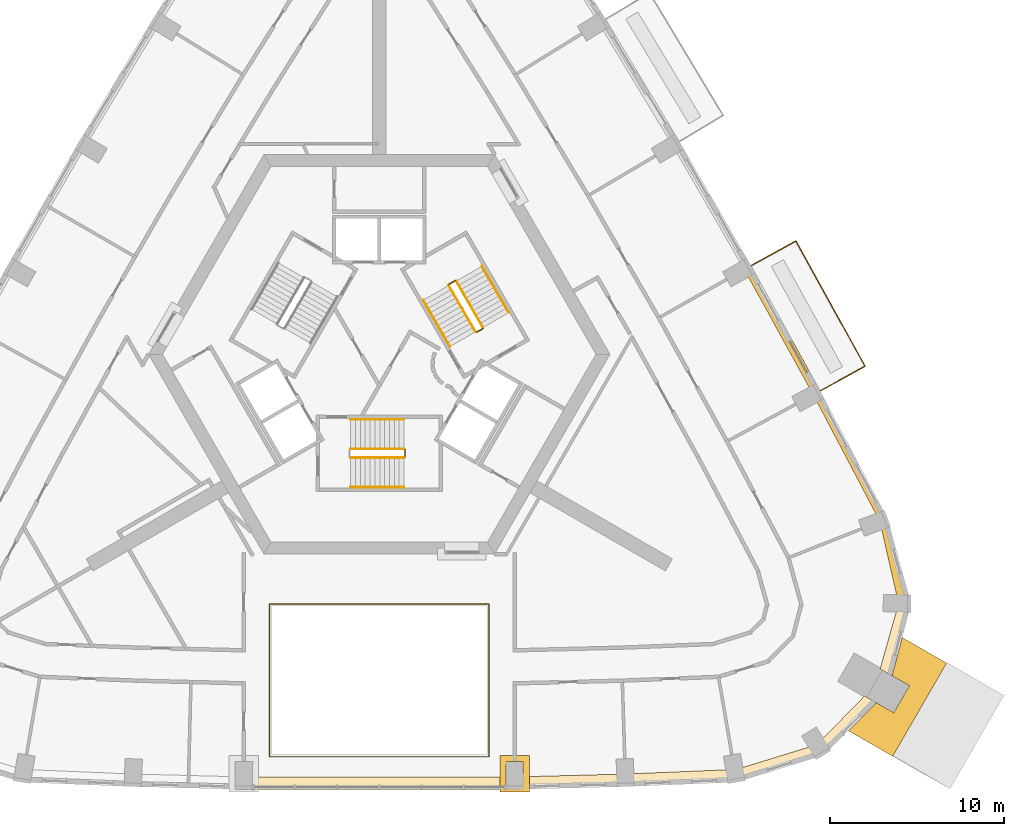
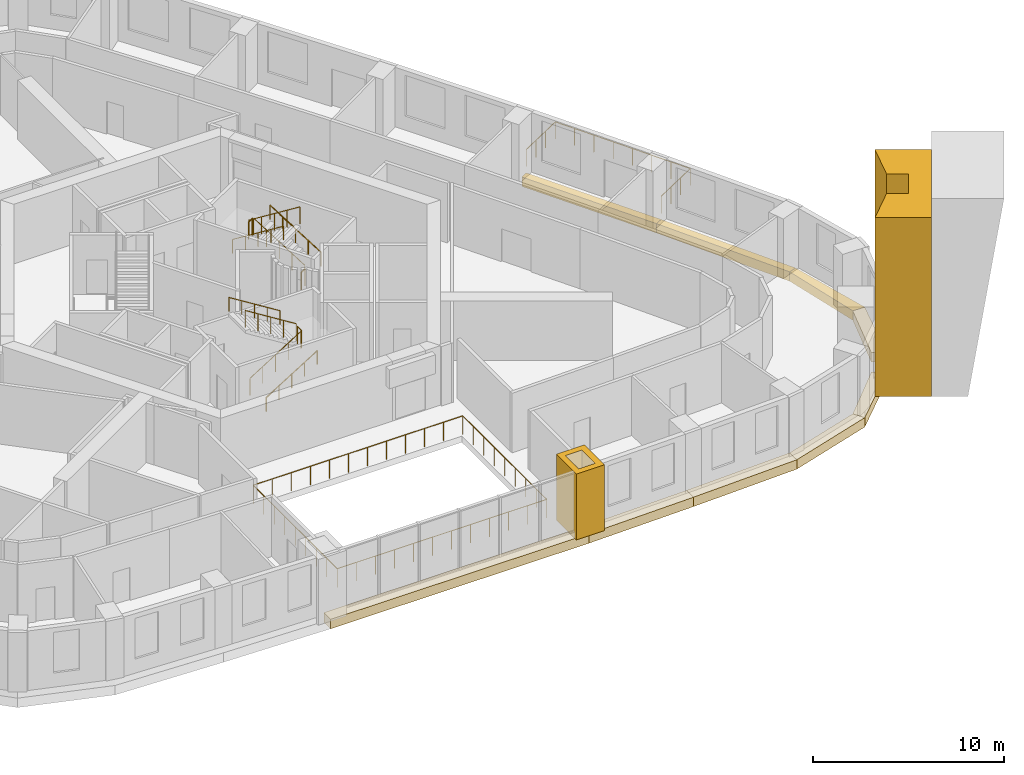
# One storey, part 12 of 13: 13 railings, 11 coverings.
"""IFC4 building model written with IfcOpenShell, lengths in metres."""

from ifc_helpers import new_model, si_unit, direction, frame, origin, origin_2d, place, context, subcontext, project, spatial, polyline, circle, outline, extrude, material, type_object, element, save


model = new_model("IFC4")

# Units and contexts
model_context = context("Model", 3, precision=1e-05, world=origin(), true_north=direction((0.0, 1.0)))
body_context = subcontext(model_context, "Body", "Model", "MODEL_VIEW")
ifc_project = project(units=[si_unit("LENGTHUNIT", "METRE"), si_unit("AREAUNIT", "SQUARE_METRE"), si_unit("VOLUMEUNIT", "CUBIC_METRE"), si_unit("PLANEANGLEUNIT", "RADIAN"), si_unit("MASSUNIT", "GRAM", prefix="KILO")], contexts=[model_context])

# Site, building, storey
site_placement = place(None, origin())
site = spatial("IfcSite", under=ifc_project, at=site_placement, CompositionType="ELEMENT")
building_placement = place(site_placement, origin())
building = spatial("IfcBuilding", under=site, at=building_placement, Name="Entoto Arch Interchange Tower", CompositionType="ELEMENT")
storey_placement = place(building_placement, frame((0.0, 0.0, 202.39990234375)))
storey = spatial("IfcBuildingStorey", under=building, at=storey_placement, Name="L45", CompositionType="ELEMENT", Elevation=202.39990234375)

# Railings
ifc_material_1 = material(Name="Stainless steel 1.4301", Category="steel")
railing_type_1 = type_object("IfcRailingType", Name="ATRIUM GUARD 1200 STEEL AND GLASS", PredefinedType="GUARDRAIL", material=ifc_material_1)
railing_1_placement = place(storey_placement, frame((6.320068359375, -20.6640625, 0.0)))
element("IfcRailing", 1, at=railing_1_placement, inside=storey, type_object=railing_type_1, Name="Atrium guard L45", PredefinedType="GUARDRAIL", context=body_context, shape_type="SweptSolid", body=[
    extrude(circle(Radius=0.02392578125, at=origin_2d()), frame((0.0, 0.0, 1.17578125), z_axis=(-1.0, 0.0, 0.0), x_axis=(0.0, -1.0, 0.0)), (0.0, 0.0, 1.0), 12.64013671875),
    extrude(circle(Radius=0.02392578125, at=origin_2d()), frame((-12.64013671875, 0.0, 1.17578125), z_axis=(0.0, 1.0, 0.0), x_axis=(-1.0, 0.0, 0.0)), (0.0, 0.0, 1.0), 8.7841796875),
    extrude(circle(Radius=0.02392578125, at=origin_2d()), frame((-12.64013671875, 8.7841796875, 1.17578125), z_axis=(1.0, 0.0, 0.0), x_axis=(0.0, 1.0, 0.0)), (0.0, 0.0, 1.0), 12.64013671875),
    extrude(circle(Radius=0.02392578125, at=origin_2d()), frame((0.0, 8.7841796875, 1.17578125), z_axis=(0.0, -1.0, 0.0), x_axis=(1.0, 0.0, 0.0)), (0.0, 0.0, 1.0), 8.7841796875),
    extrude(circle(Radius=0.02099609375, at=origin_2d()), origin(), (0.0, 0.0, 1.0), 1.15185546875),
    extrude(circle(Radius=0.02099609375, at=origin_2d()), frame((-1.149169921875, 0.0, 0.0)), (0.0, 0.0, 1.0), 1.15185546875),
    extrude(circle(Radius=0.02099609375, at=origin_2d()), frame((-2.298095703125, 0.0, 0.0)), (0.0, 0.0, 1.0), 1.15185546875),
    extrude(circle(Radius=0.02099609375, at=origin_2d()), frame((-3.447265625, 0.0, 0.0)), (0.0, 0.0, 1.0), 1.15185546875),
    extrude(circle(Radius=0.02099609375, at=origin_2d()), frame((-4.596435546875, 0.0, 0.0)), (0.0, 0.0, 1.0), 1.15185546875),
    extrude(circle(Radius=0.02099609375, at=origin_2d()), frame((-5.74560546875, 0.0, 0.0)), (0.0, 0.0, 1.0), 1.15185546875),
    extrude(circle(Radius=0.02099609375, at=origin_2d()), frame((-6.89453125, 0.0, 0.0)), (0.0, 0.0, 1.0), 1.15185546875),
    extrude(circle(Radius=0.02099609375, at=origin_2d()), frame((-8.043701171875, 0.0, 0.0)), (0.0, 0.0, 1.0), 1.15185546875),
    extrude(circle(Radius=0.02099609375, at=origin_2d()), frame((-9.19287109375, 0.0, 0.0)), (0.0, 0.0, 1.0), 1.15185546875),
    extrude(circle(Radius=0.02099609375, at=origin_2d()), frame((-10.342041015625, 0.0, 0.0)), (0.0, 0.0, 1.0), 1.15185546875),
    extrude(circle(Radius=0.02099609375, at=origin_2d()), frame((-11.490966796875, 0.0, 0.0)), (0.0, 0.0, 1.0), 1.15185546875),
    extrude(circle(Radius=0.02099609375, at=origin_2d()), frame((-12.64013671875, 0.0, 0.0)), (0.0, 0.0, 1.0), 1.15185546875),
    extrude(circle(Radius=0.02099609375, at=origin_2d()), frame((-12.64013671875, 1.09814453125, 0.0)), (0.0, 0.0, 1.0), 1.15185546875),
    extrude(circle(Radius=0.02099609375, at=origin_2d()), frame((-12.64013671875, 2.196044921875, 0.0)), (0.0, 0.0, 1.0), 1.15185546875),
    extrude(circle(Radius=0.02099609375, at=origin_2d()), frame((-12.64013671875, 3.2939453125, 0.0)), (0.0, 0.0, 1.0), 1.15185546875),
    extrude(circle(Radius=0.02099609375, at=origin_2d()), frame((-12.64013671875, 4.39208984375, 0.0)), (0.0, 0.0, 1.0), 1.15185546875),
    extrude(circle(Radius=0.02099609375, at=origin_2d()), frame((-12.64013671875, 5.490234375, 0.0)), (0.0, 0.0, 1.0), 1.15185546875),
    extrude(circle(Radius=0.02099609375, at=origin_2d()), frame((-12.64013671875, 6.588134765625, 0.0)), (0.0, 0.0, 1.0), 1.15185546875),
    extrude(circle(Radius=0.02099609375, at=origin_2d()), frame((-12.64013671875, 7.68603515625, 0.0)), (0.0, 0.0, 1.0), 1.15185546875),
    extrude(circle(Radius=0.02099609375, at=origin_2d()), frame((-12.64013671875, 8.7841796875, 0.0)), (0.0, 0.0, 1.0), 1.15185546875),
    extrude(circle(Radius=0.02099609375, at=origin_2d()), frame((-11.490966796875, 8.7841796875, 0.0)), (0.0, 0.0, 1.0), 1.15185546875),
    extrude(circle(Radius=0.02099609375, at=origin_2d()), frame((-10.342041015625, 8.7841796875, 0.0)), (0.0, 0.0, 1.0), 1.15185546875),
    extrude(circle(Radius=0.02099609375, at=origin_2d()), frame((-9.19287109375, 8.7841796875, 0.0)), (0.0, 0.0, 1.0), 1.15185546875),
    extrude(circle(Radius=0.02099609375, at=origin_2d()), frame((-8.043701171875, 8.7841796875, 0.0)), (0.0, 0.0, 1.0), 1.15185546875),
    extrude(circle(Radius=0.02099609375, at=origin_2d()), frame((-6.89453125, 8.7841796875, 0.0)), (0.0, 0.0, 1.0), 1.15185546875),
    extrude(circle(Radius=0.02099609375, at=origin_2d()), frame((-5.74560546875, 8.7841796875, 0.0)), (0.0, 0.0, 1.0), 1.15185546875),
    extrude(circle(Radius=0.02099609375, at=origin_2d()), frame((-4.596435546875, 8.7841796875, 0.0)), (0.0, 0.0, 1.0), 1.15185546875),
    extrude(circle(Radius=0.02099609375, at=origin_2d()), frame((-3.447265625, 8.7841796875, 0.0)), (0.0, 0.0, 1.0), 1.15185546875),
    extrude(circle(Radius=0.02099609375, at=origin_2d()), frame((-2.298095703125, 8.7841796875, 0.0)), (0.0, 0.0, 1.0), 1.15185546875),
    extrude(circle(Radius=0.02099609375, at=origin_2d()), frame((-1.149169921875, 8.7841796875, 0.0)), (0.0, 0.0, 1.0), 1.15185546875),
    extrude(circle(Radius=0.02099609375, at=origin_2d()), frame((0.0, 8.7841796875, 0.0)), (0.0, 0.0, 1.0), 1.15185546875),
    extrude(circle(Radius=0.02099609375, at=origin_2d()), frame((0.0, 7.68603515625, 0.0)), (0.0, 0.0, 1.0), 1.15185546875),
    extrude(circle(Radius=0.02099609375, at=origin_2d()), frame((0.0, 6.588134765625, 0.0)), (0.0, 0.0, 1.0), 1.15185546875),
    extrude(circle(Radius=0.02099609375, at=origin_2d()), frame((0.0, 5.490234375, 0.0)), (0.0, 0.0, 1.0), 1.15185546875),
    extrude(circle(Radius=0.02099609375, at=origin_2d()), frame((0.0, 4.39208984375, 0.0)), (0.0, 0.0, 1.0), 1.15185546875),
    extrude(circle(Radius=0.02099609375, at=origin_2d()), frame((0.0, 3.2939453125, 0.0)), (0.0, 0.0, 1.0), 1.15185546875),
    extrude(circle(Radius=0.02099609375, at=origin_2d()), frame((0.0, 2.196044921875, 0.0)), (0.0, 0.0, 1.0), 1.15185546875),
    extrude(circle(Radius=0.02099609375, at=origin_2d()), frame((0.0, 1.09814453125, 0.0)), (0.0, 0.0, 1.0), 1.15185546875),
])
railing_type_2 = type_object("IfcRailingType", Name="GUARD 1100 STEEL AND GLASS", PredefinedType="GUARDRAIL", material=ifc_material_1)
railing_2_placement = place(storey_placement, frame((25.383056640625, 0.385009765625, 0.0)))
element("IfcRailing", 2, at=railing_2_placement, inside=storey, type_object=railing_type_2, Name="Balcony guard NE-02 L45", PredefinedType="GUARDRAIL", context=body_context, shape_type="SweptSolid", body=[
    extrude(circle(Radius=0.02392578125, at=origin_2d()), frame((0.0, 0.0, 1.076171875), z_axis=(0.875368754809, 0.483455833665, 0.0), x_axis=(-0.483455833665, 0.875368754809, 0.0)), (0.0, 0.0, 1.0), 2.94970703125),
    extrude(circle(Radius=0.02392578125, at=origin_2d()), frame((2.58203125, 1.426025390625, 1.076171875), z_axis=(-0.483555885085, 0.875313490128, 0.0), x_axis=(-0.875313490128, -0.483555885085, 0.0)), (0.0, 0.0, 1.0), 8.2392578125),
    extrude(circle(Radius=0.02392578125, at=origin_2d()), frame((-1.402099609375, 8.637939453125, 1.076171875), z_axis=(-0.875368754809, -0.483455833665, 0.0), x_axis=(0.483455833665, -0.875368754809, 0.0)), (0.0, 0.0, 1.0), 2.94970703125),
    extrude(circle(Radius=0.02099609375, at=origin_2d()), origin(), (0.0, 0.0, 1.0), 1.052001953125),
    extrude(circle(Radius=0.02099609375, at=origin_2d()), frame((0.860595703125, 0.475341796875, 0.0)), (0.0, 0.0, 1.0), 1.052001953125),
    extrude(circle(Radius=0.02099609375, at=origin_2d()), frame((1.721435546875, 0.95068359375, 0.0)), (0.0, 0.0, 1.0), 1.052001953125),
    extrude(circle(Radius=0.02099609375, at=origin_2d()), frame((2.58203125, 1.426025390625, 0.0)), (0.0, 0.0, 1.0), 1.052001953125),
    extrude(circle(Radius=0.02099609375, at=origin_2d()), frame((2.012939453125, 2.456298828125, 0.0)), (0.0, 0.0, 1.0), 1.052001953125),
    extrude(circle(Radius=0.02099609375, at=origin_2d()), frame((1.443603515625, 3.486572265625, 0.0)), (0.0, 0.0, 1.0), 1.052001953125),
    extrude(circle(Radius=0.02099609375, at=origin_2d()), frame((0.87451171875, 4.516845703125, 0.0)), (0.0, 0.0, 1.0), 1.052001953125),
    extrude(circle(Radius=0.02099609375, at=origin_2d()), frame((0.305419921875, 5.547119140625, 0.0)), (0.0, 0.0, 1.0), 1.052001953125),
    extrude(circle(Radius=0.02099609375, at=origin_2d()), frame((-0.263671875, 6.577392578125, 0.0)), (0.0, 0.0, 1.0), 1.052001953125),
    extrude(circle(Radius=0.02099609375, at=origin_2d()), frame((-0.8330078125, 7.607666015625, 0.0)), (0.0, 0.0, 1.0), 1.052001953125),
    extrude(circle(Radius=0.02099609375, at=origin_2d()), frame((-1.402099609375, 8.637939453125, 0.0)), (0.0, 0.0, 1.0), 1.052001953125),
    extrude(circle(Radius=0.02099609375, at=origin_2d()), frame((-2.2626953125, 8.16259765625, 0.0)), (0.0, 0.0, 1.0), 1.052001953125),
    extrude(circle(Radius=0.02099609375, at=origin_2d()), frame((-3.12353515625, 7.687255859375, 0.0)), (0.0, 0.0, 1.0), 1.052001953125),
    extrude(circle(Radius=0.02099609375, at=origin_2d()), frame((-3.984130859375, 7.2119140625, 0.0)), (0.0, 0.0, 1.0), 1.052001953125),
])

# Coverings
ifc_material_2 = material(Name="Board-marked precast concrete C50/60", Category="concrete")
covering_type_1 = type_object("IfcCoveringType", Name="PRECAST FRAME COURSE", PredefinedType="CLADDING", material=ifc_material_2)
covering_1_placement = place(storey_placement, frame((0.0, 0.0, -0.39990234375)))
element("IfcCovering", 3, at=covering_1_placement, inside=storey, type_object=covering_type_1, Name="Corner pilaster SE L45-L47", PredefinedType="CLADDING", context=body_context, shape_type="SweptSolid", body=[
    extrude(outline(polyline([(32.654052734375, -15.27294921875), (29.553955078125, -20.64306640625), (26.9990234375, -19.16796875), (28.62109375, -17.56396484375), (29.614013671875, -18.136962890625), (30.513916015625, -16.5791015625), (29.52099609375, -16.0048828125), (30.09912109375, -13.798095703125), (32.654052734375, -15.27294921875)])), origin(), (0.0, 0.0, 1.0), 11.39990234375),
])
covering_2_placement = place(storey_placement, frame((0.0, 0.0, -0.39990234375)))
element("IfcCovering", 4, at=covering_2_placement, inside=storey, type_object=covering_type_1, Name="Gate pier L45", PredefinedType="CLADDING", context=body_context, shape_type="SweptSolid", body=[
    extrude(outline(polyline([(6.93798828125, -20.593994140625), (8.637939453125, -20.593994140625), (8.637939453125, -22.694091796875), (6.93798828125, -22.694091796875), (6.93798828125, -20.593994140625)]), holes=[polyline([(7.2880859375, -20.944091796875), (7.2880859375, -22.343994140625), (8.2880859375, -22.343994140625), (8.2880859375, -20.944091796875), (7.2880859375, -20.944091796875)])]), origin(), (0.0, 0.0, 1.0), 4.199951171875),
])
covering_type_2 = type_object("IfcCoveringType", Name="PRECAST LEDGE COURSE", PredefinedType="CLADDING", material=ifc_material_2)
covering_3_placement = place(storey_placement, frame((0.0, 0.0, -1.0)))
element("IfcCovering", 5, at=covering_3_placement, inside=storey, type_object=covering_type_2, Name="Precast course S-03 L45", PredefinedType="CLADDING", context=body_context, shape_type="SweptSolid", body=[
    extrude(outline(polyline([(7.800048828125, -21.826904296875), (7.800048828125, -22.5439453125), (-7.800048828125, -22.5439453125), (-7.800048828125, -21.826904296875), (7.800048828125, -21.826904296875)])), origin(), (0.0, 0.0, 1.0), 0.60009765625),
])
covering_4_placement = place(storey_placement, frame((0.0, 0.0, -1.0)))
element("IfcCovering", 6, at=covering_4_placement, inside=storey, type_object=covering_type_2, Name="Precast course S-04 L45", PredefinedType="CLADDING", context=body_context, shape_type="SweptSolid", body=[
    extrude(outline(polyline([(14.18505859375, -21.658935546875), (14.18505859375, -22.383056640625), (7.800048828125, -22.5439453125), (7.800048828125, -21.826904296875), (14.18505859375, -21.658935546875)])), origin(), (0.0, 0.0, 1.0), 0.60009765625),
])
covering_5_placement = place(storey_placement, frame((0.0, 0.0, -1.0)))
element("IfcCovering", 7, at=covering_5_placement, inside=storey, type_object=covering_type_2, Name="Precast course S-05 L45", PredefinedType="CLADDING", context=body_context, shape_type="SweptSolid", body=[
    extrude(outline(polyline([(20.569091796875, -21.39208984375), (20.569091796875, -22.1279296875), (14.18505859375, -22.383056640625), (14.18505859375, -21.658935546875), (20.569091796875, -21.39208984375)])), origin(), (0.0, 0.0, 1.0), 0.60009765625),
])
covering_6_placement = place(storey_placement, frame((0.0, 0.0, -1.0)))
element("IfcCovering", 8, at=covering_6_placement, inside=storey, type_object=covering_type_2, Name="Precast course SE-01 L45", PredefinedType="CLADDING", context=body_context, shape_type="SweptSolid", body=[
    extrude(outline(polyline([(25.197021484375, -19.967041015625), (25.571044921875, -20.5791015625), (20.569091796875, -22.1279296875), (20.569091796875, -21.39208984375), (25.197021484375, -19.967041015625)])), origin(), (0.0, 0.0, 1.0), 0.60009765625),
])
covering_7_placement = place(storey_placement, frame((0.0, 0.0, -1.0)))
element("IfcCovering", 9, at=covering_7_placement, inside=storey, type_object=covering_type_2, Name="Precast course SE-02 L45", PredefinedType="CLADDING", context=body_context, shape_type="SweptSolid", body=[
    extrude(outline(polyline([(27.929931640625, -17.1650390625), (28.6220703125, -17.56396484375), (25.571044921875, -20.5791015625), (25.197021484375, -19.967041015625), (27.929931640625, -17.1650390625)])), origin(), (0.0, 0.0, 1.0), 0.60009765625),
])
covering_8_placement = place(storey_placement, frame((0.0, 0.0, -1.0)))
element("IfcCovering", 10, at=covering_8_placement, inside=storey, type_object=covering_type_2, Name="Precast course SE-03 L45", PredefinedType="CLADDING", context=body_context, shape_type="SweptSolid", body=[
    extrude(outline(polyline([(29.889892578125, -11.837890625), (30.60693359375, -11.85595703125), (29.52099609375, -16.0048828125), (28.830078125, -15.60595703125), (29.889892578125, -11.837890625)])), origin(), (0.0, 0.0, 1.0), 0.60009765625),
])
covering_9_placement = place(storey_placement, frame((0.0, 0.0, -1.0)))
element("IfcCovering", 11, at=covering_9_placement, inside=storey, type_object=covering_type_2, Name="Precast course SE-04 L45", PredefinedType="CLADDING", context=body_context, shape_type="SweptSolid", body=[
    extrude(outline(polyline([(28.81103515625, -7.116943359375), (29.256103515625, -6.951904296875), (30.60693359375, -11.85595703125), (29.889892578125, -11.837890625), (28.81103515625, -7.116943359375)])), origin(), (0.0, 0.0, 1.0), 0.60009765625),
])
covering_10_placement = place(storey_placement, frame((0.0, 0.0, -1.0)))
element("IfcCovering", 12, at=covering_10_placement, inside=storey, type_object=covering_type_2, Name="Precast course NE-01 L45", PredefinedType="CLADDING", context=body_context, shape_type="SweptSolid", body=[
    extrude(outline(polyline([(24.97998046875, 0.16796875), (25.383056640625, 0.385009765625), (29.256103515625, -6.951904296875), (28.81103515625, -7.116943359375), (24.97998046875, 0.16796875)])), origin(), (0.0, 0.0, 1.0), 0.60009765625),
])
covering_11_placement = place(storey_placement, frame((0.0, 0.0, -1.0)))
element("IfcCovering", 13, at=covering_11_placement, inside=storey, type_object=covering_type_2, Name="Precast course NE-02 L45", PredefinedType="CLADDING", context=body_context, shape_type="SweptSolid", body=[
    extrude(outline(polyline([(21.006103515625, 7.3759765625), (21.39892578125, 7.596923828125), (25.383056640625, 0.385009765625), (24.97998046875, 0.16796875), (21.006103515625, 7.3759765625)])), origin(), (0.0, 0.0, 1.0), 0.60009765625),
])

# Railings
railing_type_3 = type_object("IfcRailingType", Name="STAIR GUARD 1100 STEEL", PredefinedType="GUARDRAIL", material=ifc_material_1)
railing_3_placement = place(storey_placement, frame((-1.64990234375, -3.449951171875, 0.175048828125)))
element("IfcRailing", 14, at=railing_3_placement, inside=storey, type_object=railing_type_3, Name="L45 ST-S stair guard 1", PredefinedType="GUARDRAIL", context=body_context, shape_type="SweptSolid", body=[
    extrude(circle(Radius=0.02392578125, at=origin_2d()), frame((0.0, 0.0, 1.076171875), z_axis=(0.847979421464, 0.0, 0.530029150871), x_axis=(0.0, 1.0, 0.0)), (0.0, 0.0, 1.0), 3.632080078125),
    extrude(circle(Radius=0.02099609375, at=origin_2d()), origin(), (0.0, 0.0, 1.0), 1.052001953125),
    extrude(circle(Radius=0.02099609375, at=origin_2d()), frame((0.77001953125, 0.0, 0.481201171875)), (0.0, 0.0, 1.0), 1.052001953125),
    extrude(circle(Radius=0.02099609375, at=origin_2d()), frame((1.5400390625, 0.0, 0.96240234375)), (0.0, 0.0, 1.0), 1.052001953125),
    extrude(circle(Radius=0.02099609375, at=origin_2d()), frame((2.309814453125, 0.0, 1.44384765625)), (0.0, 0.0, 1.0), 1.052001953125),
    extrude(circle(Radius=0.02099609375, at=origin_2d()), frame((3.079833984375, 0.0, 1.925048828125)), (0.0, 0.0, 1.0), 1.052001953125),
])
railing_4_placement = place(storey_placement, frame((1.47998046875, -3.39990234375, 2.10009765625)))
element("IfcRailing", 15, at=railing_4_placement, inside=storey, type_object=railing_type_3, Name="L45 ST-S stair guard 2", PredefinedType="GUARDRAIL", context=body_context, shape_type="SweptSolid", body=[
    extrude(circle(Radius=0.02392578125, at=origin_2d()), frame((0.0, 0.0, 1.076171875), z_axis=(0.0, 1.0, 0.0), x_axis=(-1.0, 0.0, 0.0)), (0.0, 0.0, 1.0), 0.39990234375),
    extrude(circle(Radius=0.02099609375, at=origin_2d()), origin(), (0.0, 0.0, 1.0), 1.052001953125),
    extrude(circle(Radius=0.02099609375, at=origin_2d()), frame((0.0, 0.39990234375, 0.0)), (0.0, 0.0, 1.0), 1.052001953125),
])
railing_5_placement = place(storey_placement, frame((1.429931640625, -2.949951171875, 2.275146484375)))
element("IfcRailing", 16, at=railing_5_placement, inside=storey, type_object=railing_type_3, Name="L45 ST-S stair guard 3", PredefinedType="GUARDRAIL", context=body_context, shape_type="SweptSolid", body=[
    extrude(circle(Radius=0.02392578125, at=origin_2d()), frame((0.0, 0.0, 1.076171875), z_axis=(-0.847979421464, 0.0, 0.530029150871), x_axis=(0.0, -1.0, 0.0)), (0.0, 0.0, 1.0), 3.632080078125),
    extrude(circle(Radius=0.02099609375, at=origin_2d()), origin(), (0.0, 0.0, 1.0), 1.052001953125),
    extrude(circle(Radius=0.02099609375, at=origin_2d()), frame((-0.77001953125, 0.0, 0.481201171875)), (0.0, 0.0, 1.0), 1.052001953125),
    extrude(circle(Radius=0.02099609375, at=origin_2d()), frame((-1.5400390625, 0.0, 0.96240234375)), (0.0, 0.0, 1.0), 1.052001953125),
    extrude(circle(Radius=0.02099609375, at=origin_2d()), frame((-2.309814453125, 0.0, 1.44384765625)), (0.0, 0.0, 1.0), 1.052001953125),
    extrude(circle(Radius=0.02099609375, at=origin_2d()), frame((-3.079833984375, 0.0, 1.925048828125)), (0.0, 0.0, 1.0), 1.052001953125),
])
railing_6_placement = place(storey_placement, frame((5.977783203125, 4.046142578125, 0.175048828125)))
element("IfcRailing", 17, at=railing_6_placement, inside=storey, type_object=railing_type_3, Name="L45 ST-NE stair guard 1", PredefinedType="GUARDRAIL", context=body_context, shape_type="SweptSolid", body=[
    extrude(circle(Radius=0.02392578125, at=origin_2d()), frame((0.0, 0.0, 1.076171875), z_axis=(-0.424015404183, 0.734364028329, 0.530019255228), x_axis=(-0.866010015463, -0.500026652407, 0.0)), (0.0, 0.0, 1.0), 3.632080078125),
    extrude(circle(Radius=0.02099609375, at=origin_2d()), origin(), (0.0, 0.0, 1.0), 1.052001953125),
    extrude(circle(Radius=0.02099609375, at=origin_2d()), frame((-0.385009765625, 0.666748046875, 0.481201171875)), (0.0, 0.0, 1.0), 1.052001953125),
    extrude(circle(Radius=0.02099609375, at=origin_2d()), frame((-0.77001953125, 1.33349609375, 0.96240234375)), (0.0, 0.0, 1.0), 1.052001953125),
    extrude(circle(Radius=0.02099609375, at=origin_2d()), frame((-1.155029296875, 2.00048828125, 1.44384765625)), (0.0, 0.0, 1.0), 1.052001953125),
    extrude(circle(Radius=0.02099609375, at=origin_2d()), frame((-1.5400390625, 2.667236328125, 1.925048828125)), (0.0, 0.0, 1.0), 1.052001953125),
])
railing_7_placement = place(storey_placement, frame((4.36962890625, 6.731689453125, 2.10009765625)))
element("IfcRailing", 18, at=railing_7_placement, inside=storey, type_object=railing_type_3, Name="L45 ST-NE stair guard 2", PredefinedType="GUARDRAIL", context=body_context, shape_type="SweptSolid", body=[
    extrude(circle(Radius=0.02392578125, at=origin_2d()), frame((0.0, 0.0, 1.076171875), z_axis=(-0.866094119867, -0.499880961361, 0.0), x_axis=(0.499880961361, -0.866094119867, 0.0)), (0.0, 0.0, 1.0), 0.39990234375),
    extrude(circle(Radius=0.02099609375, at=origin_2d()), origin(), (0.0, 0.0, 1.0), 1.052001953125),
    extrude(circle(Radius=0.02099609375, at=origin_2d()), frame((-0.346435546875, -0.199951171875, 0.0)), (0.0, 0.0, 1.0), 1.052001953125),
])
railing_8_placement = place(storey_placement, frame((4.0048828125, 6.46337890625, 2.275146484375)))
element("IfcRailing", 19, at=railing_8_placement, inside=storey, type_object=railing_type_3, Name="L45 ST-NE stair guard 3", PredefinedType="GUARDRAIL", context=body_context, shape_type="SweptSolid", body=[
    extrude(circle(Radius=0.02392578125, at=origin_2d()), frame((0.0, 0.0, 1.076171875), z_axis=(0.424015404183, -0.734364028329, 0.530019255228), x_axis=(0.866010015463, 0.500026652407, 0.0)), (0.0, 0.0, 1.0), 3.632080078125),
    extrude(circle(Radius=0.02099609375, at=origin_2d()), origin(), (0.0, 0.0, 1.0), 1.052001953125),
    extrude(circle(Radius=0.02099609375, at=origin_2d()), frame((0.385009765625, -0.666748046875, 0.481201171875)), (0.0, 0.0, 1.0), 1.052001953125),
    extrude(circle(Radius=0.02099609375, at=origin_2d()), frame((0.77001953125, -1.33349609375, 0.96240234375)), (0.0, 0.0, 1.0), 1.052001953125),
    extrude(circle(Radius=0.02099609375, at=origin_2d()), frame((1.155029296875, -2.00048828125, 1.44384765625)), (0.0, 0.0, 1.0), 1.052001953125),
    extrude(circle(Radius=0.02099609375, at=origin_2d()), frame((1.5400390625, -2.667236328125, 1.925048828125)), (0.0, 0.0, 1.0), 1.052001953125),
])
railing_9_placement = place(storey_placement, frame((5.95947265625, 3.977783203125, 0.0)))
element("IfcRailing", 20, at=railing_9_placement, inside=storey, type_object=railing_type_3, Name="L45 ST-NE stair guard 4", PredefinedType="GUARDRAIL", context=body_context, shape_type="SweptSolid", body=[
    extrude(circle(Radius=0.02392578125, at=origin_2d()), frame((0.0, 0.0, 1.076171875), z_axis=(-0.866094119867, -0.499880961361, 0.0), x_axis=(0.499880961361, -0.866094119867, 0.0)), (0.0, 0.0, 1.0), 0.39990234375),
    extrude(circle(Radius=0.02099609375, at=origin_2d()), origin(), (0.0, 0.0, 1.0), 1.052001953125),
    extrude(circle(Radius=0.02099609375, at=origin_2d()), frame((-0.346435546875, -0.199951171875, 0.0)), (0.0, 0.0, 1.0), 1.052001953125),
])
railing_type_4 = type_object("IfcRailingType", Name="STAIR HANDRAIL 900 STEEL", PredefinedType="HANDRAIL", material=ifc_material_1)
railing_10_placement = place(storey_placement, frame((-1.64990234375, -5.14990234375, 0.175048828125)))
element("IfcRailing", 21, at=railing_10_placement, inside=storey, type_object=railing_type_4, Name="L45 ST-S stair handrail 1", PredefinedType="HANDRAIL", context=body_context, shape_type="SweptSolid", body=[
    extrude(circle(Radius=0.02392578125, at=origin_2d()), frame((0.0, 0.0, 0.8759765625), z_axis=(0.847979421464, 0.0, 0.530029150871), x_axis=(0.0, 1.0, 0.0)), (0.0, 0.0, 1.0), 3.632080078125),
    extrude(circle(Radius=0.02099609375, at=origin_2d()), origin(), (0.0, 0.0, 1.0), 0.851806640625),
    extrude(circle(Radius=0.02099609375, at=origin_2d()), frame((0.77001953125, 0.0, 0.481201171875)), (0.0, 0.0, 1.0), 0.851806640625),
    extrude(circle(Radius=0.02099609375, at=origin_2d()), frame((1.5400390625, 0.0, 0.96240234375)), (0.0, 0.0, 1.0), 0.851806640625),
    extrude(circle(Radius=0.02099609375, at=origin_2d()), frame((2.309814453125, 0.0, 1.44384765625)), (0.0, 0.0, 1.0), 0.851806640625),
    extrude(circle(Radius=0.02099609375, at=origin_2d()), frame((3.079833984375, 0.0, 1.925048828125)), (0.0, 0.0, 1.0), 0.851806640625),
])
railing_11_placement = place(storey_placement, frame((1.429931640625, -1.25, 2.275146484375)))
element("IfcRailing", 22, at=railing_11_placement, inside=storey, type_object=railing_type_4, Name="L45 ST-S stair handrail 2", PredefinedType="HANDRAIL", context=body_context, shape_type="SweptSolid", body=[
    extrude(circle(Radius=0.02392578125, at=origin_2d()), frame((0.0, 0.0, 0.8759765625), z_axis=(-0.847979421464, 0.0, 0.530029150871), x_axis=(0.0, -1.0, 0.0)), (0.0, 0.0, 1.0), 3.632080078125),
    extrude(circle(Radius=0.02099609375, at=origin_2d()), origin(), (0.0, 0.0, 1.0), 0.851806640625),
    extrude(circle(Radius=0.02099609375, at=origin_2d()), frame((-0.77001953125, 0.0, 0.481201171875)), (0.0, 0.0, 1.0), 0.851806640625),
    extrude(circle(Radius=0.02099609375, at=origin_2d()), frame((-1.5400390625, 0.0, 0.96240234375)), (0.0, 0.0, 1.0), 0.851806640625),
    extrude(circle(Radius=0.02099609375, at=origin_2d()), frame((-2.309814453125, 0.0, 1.44384765625)), (0.0, 0.0, 1.0), 0.851806640625),
    extrude(circle(Radius=0.02099609375, at=origin_2d()), frame((-3.079833984375, 0.0, 1.925048828125)), (0.0, 0.0, 1.0), 0.851806640625),
])
railing_12_placement = place(storey_placement, frame((7.4501953125, 4.89599609375, 0.175048828125)))
element("IfcRailing", 23, at=railing_12_placement, inside=storey, type_object=railing_type_4, Name="L45 ST-NE stair handrail 1", PredefinedType="HANDRAIL", context=body_context, shape_type="SweptSolid", body=[
    extrude(circle(Radius=0.02392578125, at=origin_2d()), frame((0.0, 0.0, 0.8759765625), z_axis=(-0.423994474112, 0.734394994316, 0.52999309264), x_axis=(-0.866029832698, -0.499992328818, 0.0)), (0.0, 0.0, 1.0), 3.63232421875),
    extrude(circle(Radius=0.02099609375, at=origin_2d()), origin(), (0.0, 0.0, 1.0), 0.851806640625),
    extrude(circle(Radius=0.02099609375, at=origin_2d()), frame((-0.385009765625, 0.6669921875, 0.481201171875)), (0.0, 0.0, 1.0), 0.851806640625),
    extrude(circle(Radius=0.02099609375, at=origin_2d()), frame((-0.77001953125, 1.333740234375, 0.96240234375)), (0.0, 0.0, 1.0), 0.851806640625),
    extrude(circle(Radius=0.02099609375, at=origin_2d()), frame((-1.155029296875, 2.00048828125, 1.44384765625)), (0.0, 0.0, 1.0), 0.851806640625),
    extrude(circle(Radius=0.02099609375, at=origin_2d()), frame((-1.5400390625, 2.66748046875, 1.925048828125)), (0.0, 0.0, 1.0), 0.851806640625),
])
railing_13_placement = place(storey_placement, frame((2.53271484375, 5.613525390625, 2.275146484375)))
element("IfcRailing", 24, at=railing_13_placement, inside=storey, type_object=railing_type_4, Name="L45 ST-NE stair handrail 2", PredefinedType="HANDRAIL", context=body_context, shape_type="SweptSolid", body=[
    extrude(circle(Radius=0.02392578125, at=origin_2d()), frame((0.0, 0.0, 0.8759765625), z_axis=(0.423939339791, -0.734415923031, 0.53000819633), x_axis=(0.866064153644, 0.499932877268, 0.0)), (0.0, 0.0, 1.0), 3.632080078125),
    extrude(circle(Radius=0.02099609375, at=origin_2d()), origin(), (0.0, 0.0, 1.0), 0.851806640625),
    extrude(circle(Radius=0.02099609375, at=origin_2d()), frame((0.385009765625, -0.6669921875, 0.481201171875)), (0.0, 0.0, 1.0), 0.851806640625),
    extrude(circle(Radius=0.02099609375, at=origin_2d()), frame((0.77001953125, -1.333740234375, 0.96240234375)), (0.0, 0.0, 1.0), 0.851806640625),
    extrude(circle(Radius=0.02099609375, at=origin_2d()), frame((1.15478515625, -2.00048828125, 1.44384765625)), (0.0, 0.0, 1.0), 0.851806640625),
    extrude(circle(Radius=0.02099609375, at=origin_2d()), frame((1.539794921875, -2.66748046875, 1.925048828125)), (0.0, 0.0, 1.0), 0.851806640625),
])

save(model, "model.ifc")
